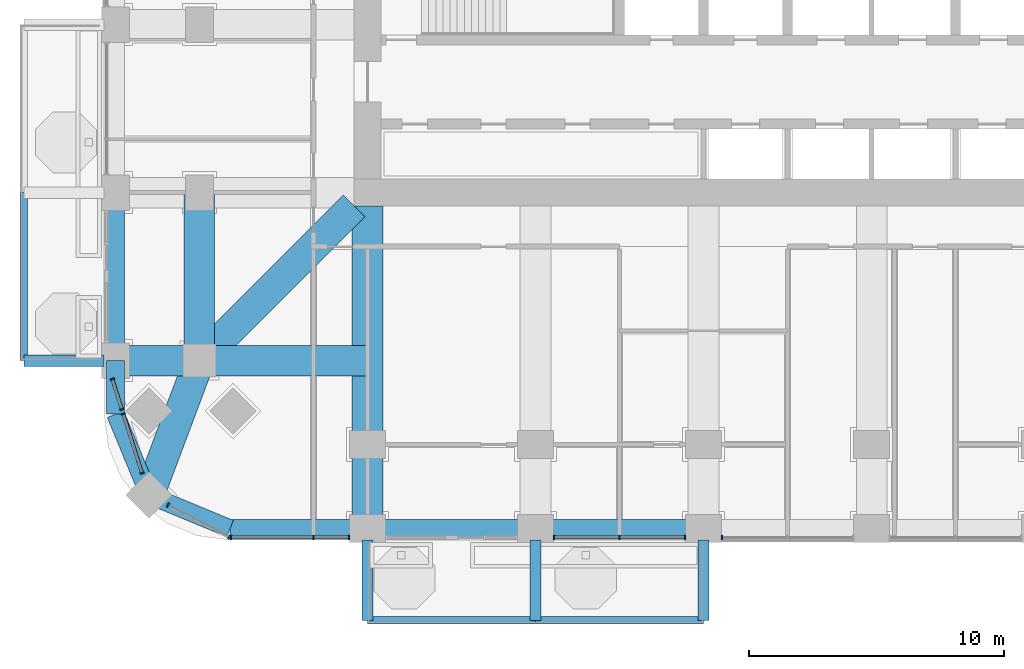
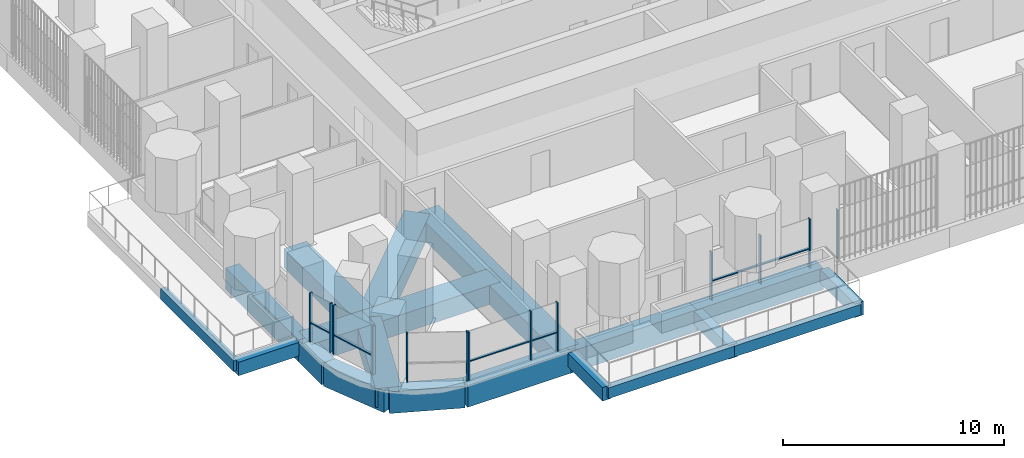
# One storey, part 2 of 21: 20 beams, 19 members, 6 elements without a shape of their own.
"""IFC4 building model written with IfcOpenShell, lengths in metres."""

import ifcopenshell
import ifcopenshell.guid

model = None  # the IFC model being written
_history = None  # IfcOwnerHistory: only IFC2X3 demands one
_inside = {}  # id of a spatial element -> (the spatial element, [elements in it])
_under = {}  # id of a project, library or spatial element -> (it, [spatial elements below it])
_declared = {}  # id of a project -> (the project, [libraries it declares])
_typed = {}  # id of a type object -> (the type object, [elements of that type])
_made_of = {}  # id of a material, layer set ... -> (it, [elements and type objects made of it])


def new_model(schema):
    """Start an empty IFC model of exactly this schema.

    Asked for "IFC4X3", IfcOpenShell would pick the latest addendum, in which some entities
    have other attributes; the version numbers below select the first issue.
    IFC2X3 requires an IfcOwnerHistory on every rooted entity: one is made here for all.
    """
    global model, _history
    if schema == "IFC4X3":
        model = ifcopenshell.file(schema_version=(4, 3, 0, 0))
    else:
        model = ifcopenshell.file(schema=schema)
    _inside.clear()
    _under.clear()
    _declared.clear()
    _typed.clear()
    _made_of.clear()
    _history = None
    if model.schema == "IFC2X3":
        org = make("IfcOrganization", Name="unknown")
        user = make(
            "IfcPersonAndOrganization",
            ThePerson=make("IfcPerson", FamilyName="unknown"),
            TheOrganization=org,
        )
        app = make(
            "IfcApplication",
            ApplicationDeveloper=org,
            Version="unknown",
            ApplicationFullName="unknown",
            ApplicationIdentifier="unknown",
        )
        _history = make(
            "IfcOwnerHistory",
            OwningUser=user,
            OwningApplication=app,
            ChangeAction="ADDED",
            CreationDate=0,
        )
    return model


def make(cls, **values):
    """One entity of the class cls with the attributes given. An attribute that is None is left unset."""
    return model.create_entity(
        cls, **{name: value for name, value in values.items() if value is not None}
    )


def rooted(cls, **values):
    """An entity with a GlobalId (a new one), such as an element, a storey or a relation."""
    return make(cls, GlobalId=ifcopenshell.guid.new(), OwnerHistory=_history, **values)


def si_unit(unit_type, name, prefix=None):
    """IfcSIUnit, for example si_unit("LENGTHUNIT", "METRE", prefix="MILLI")."""
    return make("IfcSIUnit", UnitType=unit_type, Prefix=prefix, Name=name)


def assignment(units):
    """IfcUnitAssignment: the units of a project."""
    return None if units is None else make("IfcUnitAssignment", Units=units)


def point(xyz):
    """IfcCartesianPoint."""
    return None if xyz is None else make("IfcCartesianPoint", Coordinates=xyz)


def direction(xyz):
    """IfcDirection."""
    return None if xyz is None else make("IfcDirection", DirectionRatios=xyz)


def frame(location, z_axis=None, x_axis=None):
    """IfcAxis2Placement3D, a coordinate frame: its origin and axes. An axis left out is left unset."""
    return make(
        "IfcAxis2Placement3D",
        Location=point(location),
        Axis=direction(z_axis),
        RefDirection=direction(x_axis),
    )


def frame_2d(location, x_axis=None):
    """IfcAxis2Placement2D, a coordinate frame in the plane: its origin and x axis."""
    return make(
        "IfcAxis2Placement2D", Location=point(location), RefDirection=direction(x_axis)
    )


def origin():
    """The frame at (0, 0, 0) with its axes left unset."""
    return frame((0.0, 0.0, 0.0))


def origin_2d():
    """The frame at (0, 0) in the plane with its x axis left unset."""
    return frame_2d((0.0, 0.0))


def place(relative_to, where):
    """IfcLocalPlacement: puts the frame where relative to a parent placement (None: the world)."""
    return make(
        "IfcLocalPlacement", PlacementRelTo=relative_to, RelativePlacement=where
    )


def context(
    kind, dimensions, precision=None, world=None, true_north=None, identifier=None
):
    """IfcGeometricRepresentationContext, for example the 3D "Model" context."""
    return make(
        "IfcGeometricRepresentationContext",
        ContextIdentifier=identifier,
        ContextType=kind,
        CoordinateSpaceDimension=dimensions,
        Precision=precision,
        WorldCoordinateSystem=world,
        TrueNorth=true_north,
    )


def subcontext(parent, identifier, kind, view, scale=None):
    """IfcGeometricRepresentationSubContext, for example "Body" below "Model"."""
    return make(
        "IfcGeometricRepresentationSubContext",
        ContextIdentifier=identifier,
        ContextType=kind,
        ParentContext=parent,
        TargetScale=scale,
        TargetView=view,
    )


def project(units=None, contexts=None):
    """IfcProject with its units and contexts."""
    return rooted(
        "IfcProject",
        Name="project",
        RepresentationContexts=contexts,
        UnitsInContext=assignment(units),
    )


def spatial(cls, under=None, at=None, **own):
    """A site, building, storey or space (cls), placed at a placement, below another one or the project."""
    s = rooted(cls, ObjectPlacement=at, **own)
    if under is not None:
        _under.setdefault(under.id(), (under, []))[1].append(s)
    return s


def profile(cls, at=None, kind="AREA", **sizes):
    """A parametric profile (cls). Its sizes go by their IFC names, for example OverallWidth=200.0."""
    return make(cls, ProfileType=kind, Position=at, **sizes)


def rectangle(**sizes):
    """IfcRectangleProfileDef."""
    return profile("IfcRectangleProfileDef", **sizes)


def extrude(swept, where, along, depth):
    """IfcExtrudedAreaSolid: the profile swept, set in the frame where, extruded along a direction by depth."""
    return make(
        "IfcExtrudedAreaSolid",
        SweptArea=swept,
        Position=where,
        ExtrudedDirection=direction(along),
        Depth=depth,
    )


def shape(context_of_items, identifier, shape_type, items):
    """IfcShapeRepresentation: the items that make up one representation, for example the "Body"."""
    return make(
        "IfcShapeRepresentation",
        ContextOfItems=context_of_items,
        RepresentationIdentifier=identifier,
        RepresentationType=shape_type,
        Items=items,
    )


def material(Name=None, Category=None):
    """IfcMaterial."""
    return make("IfcMaterial", Name=Name, Category=Category)


def material_profile(
    of_material, cross_section, Name=None, Category=None, Priority=None
):
    """IfcMaterialProfile: a cross section and its material."""
    return make(
        "IfcMaterialProfile",
        Name=Name,
        Material=of_material,
        Profile=cross_section,
        Priority=Priority,
        Category=Category,
    )


def profile_set(profiles, Name=None, composite=None):
    """IfcMaterialProfileSet."""
    return make(
        "IfcMaterialProfileSet",
        Name=Name,
        MaterialProfiles=profiles,
        CompositeProfile=composite,
    )


def made_of(thing, what):
    """Note that an element or type object is made of a material, layer set ...; save() writes the relation."""
    if what is not None:
        _made_of.setdefault(what.id(), (what, []))[1].append(thing)
    return thing


def type_object(cls, material=None, **own):
    """A type object (cls), such as IfcWallType, which elements share."""
    return made_of(rooted(cls, **own), material)


def element(
    cls,
    number,
    at=None,
    inside=None,
    cuts=None,
    type_object=None,
    material=None,
    context=None,
    identifier="Body",
    shape_type=None,
    held_by="IfcProductDefinitionShape",
    body=None,
    shapes=None,
    **own,
):
    """One element of the class cls, such as IfcWall. Its Tag is "e" and its number.

    at: its placement. inside: the storey or other place that contains it. cuts: it is an
    opening in that element (IfcRelVoidsElement). A single representation is given by context,
    identifier, shape_type and body (its items); several are given by shapes. held_by: the class
    of the entity that holds the representations. save() writes the other relations.
    """
    e = rooted(cls, Tag="e%d" % number, ObjectPlacement=at, **own)
    if body is not None:
        shapes = [shape(context, identifier, shape_type, body)]
    if shapes is not None:
        e.Representation = make(held_by, Representations=shapes)
    if inside is not None:
        _inside.setdefault(inside.id(), (inside, []))[1].append(e)
    if cuts is not None:
        rooted(
            "IfcRelVoidsElement", RelatingBuildingElement=cuts, RelatedOpeningElement=e
        )
    if type_object is not None:
        _typed.setdefault(type_object.id(), (type_object, []))[1].append(e)
    return made_of(e, material)


def aggregate(whole, parts):
    """IfcRelAggregates: a whole, such as a stair, and the parts it consists of."""
    return rooted("IfcRelAggregates", RelatingObject=whole, RelatedObjects=parts)


def save(model, path):
    """Write the relations noted so far, then the file.

    IfcRelAggregates (storeys below a building ...), IfcRelContainedInSpatialStructure (elements
    in a storey), IfcRelDefinesByType, IfcRelAssociatesMaterial and IfcRelDeclares: one each for
    every whole, place, type object, material and project.
    """
    for whole, parts in _under.values():
        aggregate(whole, parts)
    for where, things in _inside.values():
        rooted(
            "IfcRelContainedInSpatialStructure",
            RelatedElements=things,
            RelatingStructure=where,
        )
    for kind, things in _typed.values():
        rooted("IfcRelDefinesByType", RelatedObjects=things, RelatingType=kind)
    for what, things in _made_of.values():
        rooted("IfcRelAssociatesMaterial", RelatedObjects=things, RelatingMaterial=what)
    for by, libraries in _declared.values():
        rooted("IfcRelDeclares", RelatingContext=by, RelatedDefinitions=libraries)
    model.write(path)


model = new_model("IFC4")

# Units and contexts
model_context = context("Model", 3, precision=1e-05, world=origin(), true_north=direction((0.0, 1.0)))
body_context = subcontext(model_context, "Body", "Model", "MODEL_VIEW")
ifc_project = project(units=[si_unit("LENGTHUNIT", "METRE"), si_unit("AREAUNIT", "SQUARE_METRE"), si_unit("VOLUMEUNIT", "CUBIC_METRE"), si_unit("PLANEANGLEUNIT", "RADIAN"), si_unit("MASSUNIT", "GRAM", prefix="KILO")], contexts=[model_context])

# Site, building, storey
site_placement = place(None, origin())
site = spatial("IfcSite", under=ifc_project, at=site_placement, CompositionType="ELEMENT")
building_placement = place(site_placement, origin())
building = spatial("IfcBuilding", under=site, at=building_placement, Name="Cobogo Forest Laboratory Tower", CompositionType="ELEMENT")
storey_placement = place(building_placement, frame((0.0, 0.0, 115.800048828125)))
storey = spatial("IfcBuildingStorey", under=building, at=storey_placement, Name="L26", CompositionType="ELEMENT", Elevation=115.800048828125)

# Beams
ifc_material_1 = material(Name="Concrete HA-40 (C40/50)", Category="concrete")
ifc_material_profile_1 = material_profile(ifc_material_1, rectangle(XDim=0.449951171875, YDim=0.75, at=origin_2d()), Name="RC 450x750")
ifc_profile_set_1 = profile_set([ifc_material_profile_1], Name="Concrete HA-40 (C40/50)")
beam_type_1 = type_object("IfcBeamType", Name="Balcony cantilever beam 450x750", PredefinedType="BEAM", material=ifc_profile_set_1)
for number, where, z_axis, x_axis, name in (
    (1, (13.199951171875, -0.449951171875, -0.625), (0.0, -1.0, 0.0), (1.0, 0.0, 0.0), "CB1 BAL-S1-C1 L26"),
    (2, (19.800048828125, -0.449951171875, -0.625), (0.0, -1.0, 0.0), (1.0, 0.0, 0.0), "CB1 BAL-S1-C2 L26"),
    (3, (26.39990234375, -0.449951171875, -0.625), (0.0, -1.0, 0.0), (1.0, 0.0, 0.0), "CB1 BAL-S1-C3 L26"),
    (4, (2.85009765625, 6.60009765625, -0.625), (-1.0, 0.0, 0.0), (0.0, -1.0, 0.0), "CB1 BAL-W1-C1 L26"),
):
    element("IfcBeam", number, at=place(storey_placement, frame(where, z_axis=z_axis, x_axis=x_axis)), inside=storey, type_object=beam_type_1, Name=name, PredefinedType="BEAM", context=body_context, shape_type="SweptSolid", body=[
        extrude(rectangle(XDim=0.449951171875, YDim=0.75, at=origin_2d()), origin(), (0.0, 0.0, 1.0), 3.150146484375),
    ])
ifc_material_profile_2 = material_profile(ifc_material_1, rectangle(XDim=0.300048828125, YDim=0.60009765625, at=origin_2d()), Name="RC 300x600")
ifc_profile_set_2 = profile_set([ifc_material_profile_2], Name="Concrete HA-40 (C40/50)")
beam_type_2 = type_object("IfcBeamType", Name="Balcony edge beam 300x600", PredefinedType="BEAM", material=ifc_profile_set_2)
beam_1_placement = place(storey_placement, frame((13.199951171875, -3.60009765625, -0.550048828125), z_axis=(1.0, 0.0, 0.0), x_axis=(0.0, 1.0, 0.0)))
element("IfcBeam", 5, at=beam_1_placement, inside=storey, type_object=beam_type_2, Name="BB1 BAL-S1-T1 L26", PredefinedType="BEAM", context=body_context, shape_type="SweptSolid", body=[
    extrude(rectangle(XDim=0.300048828125, YDim=0.60009765625, at=origin_2d()), origin(), (0.0, 0.0, 1.0), 6.60009765625),
])
for number, where, z_axis, x_axis, name in (
    (6, (19.800048828125, -3.60009765625, -0.550048828125), (1.0, 0.0, 0.0), (0.0, 1.0, 0.0), "BB1 BAL-S1-T2 L26"),
    (7, (-0.300048828125, 6.60009765625, -0.550048828125), (0.0, 1.0, 0.0), (-1.0, 0.0, 0.0), "BB1 BAL-W1-T1 L26"),
):
    element("IfcBeam", number, at=place(storey_placement, frame(where, z_axis=z_axis, x_axis=x_axis)), inside=storey, type_object=beam_type_2, Name=name, PredefinedType="BEAM", context=body_context, shape_type="SweptSolid", body=[
        extrude(rectangle(XDim=0.300048828125, YDim=0.60009765625, at=origin_2d()), origin(), (0.0, 0.0, 1.0), 6.599853515625),
    ])
ifc_material_profile_3 = material_profile(ifc_material_1, rectangle(XDim=1.199951171875, YDim=1.050048828125, at=origin_2d()), Name="RC 1200x1050")
ifc_profile_set_3 = profile_set([ifc_material_profile_3], Name="Concrete HA-40 (C40/50)")
beam_type_3 = type_object("IfcBeamType", Name="Laboratory floor wide beam 1200x1050", PredefinedType="BEAM", material=ifc_profile_set_3)
beam_2_placement = place(storey_placement, frame((13.199951171875, 12.675048828125, -0.824951171875), z_axis=(0.0, -1.0, 0.0), x_axis=(1.0, 0.0, 0.0)))
element("IfcBeam", 8, at=beam_2_placement, inside=storey, type_object=beam_type_3, Name="RB1 R-3-S L26", PredefinedType="BEAM", context=body_context, shape_type="SweptSolid", body=[
    extrude(rectangle(XDim=1.199951171875, YDim=1.050048828125, at=origin_2d()), origin(), (0.0, 0.0, 1.0), 12.675048828125),
])
beam_3_placement = place(storey_placement, frame((6.60009765625, 6.60009765625, -0.824951171875), z_axis=(0.0, 1.0, 0.0), x_axis=(-1.0, 0.0, 0.0)))
element("IfcBeam", 9, at=beam_3_placement, inside=storey, type_object=beam_type_3, Name="RB1 G-SW-XC L26", PredefinedType="BEAM", context=body_context, shape_type="SweptSolid", body=[
    extrude(rectangle(XDim=1.199951171875, YDim=1.050048828125, at=origin_2d()), origin(), (0.0, 0.0, 1.0), 6.599853515625),
])
beam_4_placement = place(storey_placement, frame((3.300048828125, 6.60009765625, -0.824951171875), z_axis=(1.0, 0.0, 0.0), x_axis=(0.0, 1.0, 0.0)))
element("IfcBeam", 10, at=beam_4_placement, inside=storey, type_object=beam_type_3, Name="RB1 G-SW-YF L26", PredefinedType="BEAM", context=body_context, shape_type="SweptSolid", body=[
    extrude(rectangle(XDim=1.199951171875, YDim=1.050048828125, at=origin_2d()), origin(), (0.0, 0.0, 1.0), 3.300048828125),
])
beam_5_placement = place(storey_placement, frame((6.60009765625, 6.60009765625, -0.824951171875), z_axis=(1.0, 0.0, 0.0), x_axis=(0.0, 1.0, 0.0)))
element("IfcBeam", 11, at=beam_5_placement, inside=storey, type_object=beam_type_3, Name="RB1 G-SW-YC L26", PredefinedType="BEAM", context=body_context, shape_type="SweptSolid", body=[
    extrude(rectangle(XDim=1.199951171875, YDim=1.050048828125, at=origin_2d()), origin(), (0.0, 0.0, 1.0), 6.599853515625),
])
beam_6_placement = place(storey_placement, frame((4.617919921875, 1.318115234375, -0.824951171875), z_axis=(0.351346325373, 0.936245565889, 0.0), x_axis=(-0.936245565889, 0.351346325373, 0.0)))
element("IfcBeam", 12, at=beam_6_placement, inside=storey, type_object=beam_type_3, Name="RB1 G-SW-D1 L26", PredefinedType="BEAM", context=body_context, shape_type="SweptSolid", body=[
    extrude(rectangle(XDim=1.199951171875, YDim=1.050048828125, at=origin_2d()), origin(), (0.0, 0.0, 1.0), 5.6416015625),
])
beam_7_placement = place(storey_placement, frame((6.60009765625, 6.60009765625, -0.824951171875), z_axis=(0.707106781187, 0.707106781187, 0.0), x_axis=(-0.707106781187, 0.707106781187, 0.0)))
element("IfcBeam", 13, at=beam_7_placement, inside=storey, type_object=beam_type_3, Name="RB1 G-SW-D2 L26", PredefinedType="BEAM", context=body_context, shape_type="SweptSolid", body=[
    extrude(rectangle(XDim=1.199951171875, YDim=1.050048828125, at=origin_2d()), origin(), (0.0, 0.0, 1.0), 8.59130859375),
])

# Curtain wall, members
ifc_material_2 = material(Name="Aluminium curtain wall", Category="aluminium")
curtain_wall_type = type_object("IfcCurtainWallType", Name="CW-1 unitised curtain wall, clear glazing, laboratory floors zones A and B", PredefinedType="USERDEFINED", material=ifc_material_2)
curtain_wall_1_placement = place(storey_placement, origin())
curtain_wall_1 = element("IfcCurtainWall", 14, at=curtain_wall_1_placement, inside=storey, type_object=curtain_wall_type, Name="Curtain wall 01 L26", ObjectType="UNITISED CURTAIN WALL", PredefinedType="USERDEFINED")
ifc_material_3 = material(Name="Aluminium mullion", Category="aluminium")
ifc_material_profile_4 = material_profile(ifc_material_3, rectangle(XDim=0.06005859375, YDim=0.159912109375, at=origin_2d()), Name="AL 60x160")
ifc_profile_set_4 = profile_set([ifc_material_profile_4], Name="Aluminium mullion")
member_type_1 = type_object("IfcMemberType", Name="MU-1 aluminium mullion 60x160", PredefinedType="MULLION", material=ifc_profile_set_4)
member_1_placement = place(storey_placement, frame((7.830078125, -0.35009765625, 0.0), z_axis=(0.0, 0.0, 1.0), x_axis=(1.0, 0.0, 0.0)))
member_1 = element("IfcMember", 15, at=member_1_placement, type_object=member_type_1, Name="CW-1 mullion 1", PredefinedType="MULLION", context=body_context, shape_type="SweptSolid", body=[
    extrude(rectangle(XDim=0.06005859375, YDim=0.159912109375, at=origin_2d()), origin(), (0.0, 0.0, 1.0), 2.699951171875),
])
member_2_placement = place(storey_placement, frame((11.074951171875, -0.35009765625, 0.0), z_axis=(0.0, 0.0, 1.0), x_axis=(1.0, 0.0, 0.0)))
member_2 = element("IfcMember", 16, at=member_2_placement, type_object=member_type_1, Name="CW-1 mullion 2", PredefinedType="MULLION", context=body_context, shape_type="SweptSolid", body=[
    extrude(rectangle(XDim=0.06005859375, YDim=0.159912109375, at=origin_2d()), origin(), (0.0, 0.0, 1.0), 2.699951171875),
])
member_3_placement = place(storey_placement, frame((12.469970703125, -0.35009765625, 0.0), z_axis=(0.0, 0.0, 1.0), x_axis=(1.0, 0.0, 0.0)))
member_3 = element("IfcMember", 17, at=member_3_placement, type_object=member_type_1, Name="CW-1 mullion 3", PredefinedType="MULLION", context=body_context, shape_type="SweptSolid", body=[
    extrude(rectangle(XDim=0.06005859375, YDim=0.159912109375, at=origin_2d()), origin(), (0.0, 0.0, 1.0), 2.699951171875),
])

curtain_wall_2_placement = place(storey_placement, origin())
curtain_wall_2 = element("IfcCurtainWall", 18, at=curtain_wall_2_placement, inside=storey, type_object=curtain_wall_type, Name="Curtain wall 03 L26", ObjectType="UNITISED CURTAIN WALL", PredefinedType="USERDEFINED")
member_4_placement = place(storey_placement, frame((20.530029296875, -0.35009765625, 0.0), z_axis=(0.0, 0.0, 1.0), x_axis=(1.0, 0.0, 0.0)))
member_4 = element("IfcMember", 19, at=member_4_placement, type_object=member_type_1, Name="CW-1 mullion 1", PredefinedType="MULLION", context=body_context, shape_type="SweptSolid", body=[
    extrude(rectangle(XDim=0.06005859375, YDim=0.159912109375, at=origin_2d()), origin(), (0.0, 0.0, 1.0), 2.699951171875),
])
member_5_placement = place(storey_placement, frame((23.10009765625, -0.35009765625, 0.0), z_axis=(0.0, 0.0, 1.0), x_axis=(1.0, 0.0, 0.0)))
member_5 = element("IfcMember", 20, at=member_5_placement, type_object=member_type_1, Name="CW-1 mullion 2", PredefinedType="MULLION", context=body_context, shape_type="SweptSolid", body=[
    extrude(rectangle(XDim=0.06005859375, YDim=0.159912109375, at=origin_2d()), origin(), (0.0, 0.0, 1.0), 2.699951171875),
])
member_6_placement = place(storey_placement, frame((25.669921875, -0.35009765625, 0.0), z_axis=(0.0, 0.0, 1.0), x_axis=(1.0, 0.0, 0.0)))
member_6 = element("IfcMember", 21, at=member_6_placement, type_object=member_type_1, Name="CW-1 mullion 3", PredefinedType="MULLION", context=body_context, shape_type="SweptSolid", body=[
    extrude(rectangle(XDim=0.06005859375, YDim=0.159912109375, at=origin_2d()), origin(), (0.0, 0.0, 1.0), 2.699951171875),
])

# Curtain wall, member
curtain_wall_3_placement = place(storey_placement, origin())
curtain_wall_3 = element("IfcCurtainWall", 22, at=curtain_wall_3_placement, inside=storey, type_object=curtain_wall_type, Name="Curtain wall 04 L26", ObjectType="UNITISED CURTAIN WALL", PredefinedType="USERDEFINED")
member_7_placement = place(storey_placement, frame((27.1298828125, -0.35009765625, 0.0), z_axis=(0.0, 0.0, 1.0), x_axis=(1.0, 0.0, 0.0)))
member_7 = element("IfcMember", 23, at=member_7_placement, type_object=member_type_1, Name="CW-1 mullion 1", PredefinedType="MULLION", context=body_context, shape_type="SweptSolid", body=[
    extrude(rectangle(XDim=0.06005859375, YDim=0.159912109375, at=origin_2d()), origin(), (0.0, 0.0, 1.0), 2.699951171875),
])
aggregate(curtain_wall_3, [member_7])

# Curtain wall, members
curtain_wall_4_placement = place(storey_placement, origin())
curtain_wall_4 = element("IfcCurtainWall", 24, at=curtain_wall_4_placement, inside=storey, type_object=curtain_wall_type, Name="Curtain wall 32 L26", ObjectType="UNITISED CURTAIN WALL", PredefinedType="USERDEFINED")
member_8_placement = place(storey_placement, frame((3.18017578125, 5.871337890625, 0.0), z_axis=(0.0, 0.0, 1.0), x_axis=(0.301135356805, -0.953581405483, 0.0)))
member_8 = element("IfcMember", 25, at=member_8_placement, type_object=member_type_1, Name="CW-1 mullion 1", PredefinedType="MULLION", context=body_context, shape_type="SweptSolid", body=[
    extrude(rectangle(XDim=0.06005859375, YDim=0.159912109375, at=origin_2d()), origin(), (0.0, 0.0, 1.0), 2.699951171875),
])
member_9_placement = place(storey_placement, frame((3.55224609375, 4.69287109375, 0.0), z_axis=(0.0, 0.0, 1.0), x_axis=(0.301135356805, -0.953581405483, 0.0)))
member_9 = element("IfcMember", 26, at=member_9_placement, type_object=member_type_1, Name="CW-1 mullion 2", PredefinedType="MULLION", context=body_context, shape_type="SweptSolid", body=[
    extrude(rectangle(XDim=0.06005859375, YDim=0.159912109375, at=origin_2d()), origin(), (0.0, 0.0, 1.0), 2.699951171875),
])

curtain_wall_5_placement = place(storey_placement, origin())
curtain_wall_5 = element("IfcCurtainWall", 27, at=curtain_wall_5_placement, inside=storey, type_object=curtain_wall_type, Name="Curtain wall 33 L26", ObjectType="UNITISED CURTAIN WALL", PredefinedType="USERDEFINED")
member_10_placement = place(storey_placement, frame((3.613037109375, 4.500244140625, 0.0), z_axis=(0.0, 0.0, 1.0), x_axis=(0.301135291996, -0.953581425949, 0.0)))
member_10 = element("IfcMember", 28, at=member_10_placement, type_object=member_type_1, Name="CW-1 mullion 1", PredefinedType="MULLION", context=body_context, shape_type="SweptSolid", body=[
    extrude(rectangle(XDim=0.06005859375, YDim=0.159912109375, at=origin_2d()), origin(), (0.0, 0.0, 1.0), 2.699951171875),
])
member_11_placement = place(storey_placement, frame((4.34423828125, 2.18505859375, 0.0), z_axis=(0.0, 0.0, 1.0), x_axis=(0.301135291996, -0.953581425949, 0.0)))
member_11 = element("IfcMember", 29, at=member_11_placement, type_object=member_type_1, Name="CW-1 mullion 2", PredefinedType="MULLION", context=body_context, shape_type="SweptSolid", body=[
    extrude(rectangle(XDim=0.06005859375, YDim=0.159912109375, at=origin_2d()), origin(), (0.0, 0.0, 1.0), 2.699951171875),
])

curtain_wall_6_placement = place(storey_placement, origin())
curtain_wall_6 = element("IfcCurtainWall", 30, at=curtain_wall_6_placement, inside=storey, type_object=curtain_wall_type, Name="Curtain wall 34 L26", ObjectType="UNITISED CURTAIN WALL", PredefinedType="USERDEFINED")
member_12_placement = place(storey_placement, frame((5.368408203125, 0.9248046875, 0.0), z_axis=(0.0, 0.0, 1.0), x_axis=(0.885686547075, -0.464283685186, 0.0)))
member_12 = element("IfcMember", 31, at=member_12_placement, type_object=member_type_1, Name="CW-1 mullion 1", PredefinedType="MULLION", context=body_context, shape_type="SweptSolid", body=[
    extrude(rectangle(XDim=0.06005859375, YDim=0.159912109375, at=origin_2d()), origin(), (0.0, 0.0, 1.0), 2.699951171875),
])
member_13_placement = place(storey_placement, frame((7.7734375, -0.336181640625, 0.0), z_axis=(0.0, 0.0, 1.0), x_axis=(0.885686547075, -0.464283685186, 0.0)))
member_13 = element("IfcMember", 32, at=member_13_placement, type_object=member_type_1, Name="CW-1 mullion 2", PredefinedType="MULLION", context=body_context, shape_type="SweptSolid", body=[
    extrude(rectangle(XDim=0.06005859375, YDim=0.159912109375, at=origin_2d()), origin(), (0.0, 0.0, 1.0), 2.699951171875),
])
aggregate(curtain_wall_6, [member_12, member_13])

# Beams
ifc_material_profile_5 = material_profile(ifc_material_1, rectangle(XDim=0.699951171875, YDim=1.199951171875, at=origin_2d()), Name="RC 700x1200")
ifc_profile_set_5 = profile_set([ifc_material_profile_5], Name="Concrete HA-40 (C40/50)")
beam_type_4 = type_object("IfcBeamType", Name="Perimeter edge beam 700x1200", PredefinedType="BEAM", material=ifc_profile_set_5)
beam_8_placement = place(storey_placement, frame((13.199951171875, 0.0, -0.900146484375), z_axis=(1.0, 0.0, 0.0), x_axis=(0.0, 1.0, 0.0)))
element("IfcBeam", 33, at=beam_8_placement, inside=storey, type_object=beam_type_4, Name="EB1 E-S1 L26", PredefinedType="BEAM", context=body_context, shape_type="SweptSolid", body=[
    extrude(rectangle(XDim=0.699951171875, YDim=1.199951171875, at=origin_2d()), origin(), (0.0, 0.0, 1.0), 6.60009765625),
])
for number, where, z_axis, x_axis, name in (
    (34, (19.800048828125, 0.0, -0.900146484375), (1.0, 0.0, 0.0), (0.0, 1.0, 0.0), "EB1 E-S2 L26"),
    (35, (3.300048828125, 6.60009765625, -0.900146484375), (0.0, 1.0, 0.0), (-1.0, 0.0, 0.0), "EB1 E-W1 L26"),
):
    element("IfcBeam", number, at=place(storey_placement, frame(where, z_axis=z_axis, x_axis=x_axis)), inside=storey, type_object=beam_type_4, Name=name, PredefinedType="BEAM", context=body_context, shape_type="SweptSolid", body=[
        extrude(rectangle(XDim=0.699951171875, YDim=1.199951171875, at=origin_2d()), origin(), (0.0, 0.0, 1.0), 6.599853515625),
    ])
beam_9_placement = place(storey_placement, frame((13.199951171875, 0.0, -0.900146484375), z_axis=(-1.0, 0.0, 0.0), x_axis=(0.0, -1.0, 0.0)))
element("IfcBeam", 36, at=beam_9_placement, inside=storey, type_object=beam_type_4, Name="EB1 E-SWS1 L26", PredefinedType="BEAM", context=body_context, shape_type="SweptSolid", body=[
    extrude(rectangle(XDim=0.699951171875, YDim=1.199951171875, at=origin_2d()), origin(), (0.0, 0.0, 1.0), 5.39990234375),
])
beam_10_placement = place(storey_placement, frame((7.800048828125, 0.0, -0.900146484375), z_axis=(-0.923876013265, 0.382691928466, 0.0), x_axis=(-0.382691928466, -0.923876013265, 0.0)))
element("IfcBeam", 37, at=beam_10_placement, inside=storey, type_object=beam_type_4, Name="EB1 E-SWS2 L26", PredefinedType="BEAM", context=body_context, shape_type="SweptSolid", body=[
    extrude(rectangle(XDim=0.699951171875, YDim=1.199951171875, at=origin_2d()), origin(), (0.0, 0.0, 1.0), 3.4443359375),
])
beam_11_placement = place(storey_placement, frame((3.300048828125, 6.60009765625, -0.900146484375), z_axis=(0.0, -1.0, 0.0), x_axis=(1.0, 0.0, 0.0)))
element("IfcBeam", 38, at=beam_11_placement, inside=storey, type_object=beam_type_4, Name="EB1 E-SWW1 L26", PredefinedType="BEAM", context=body_context, shape_type="SweptSolid", body=[
    extrude(rectangle(XDim=0.699951171875, YDim=1.199951171875, at=origin_2d()), origin(), (0.0, 0.0, 1.0), 2.10009765625),
])
beam_12_placement = place(storey_placement, frame((3.300048828125, 4.5, -0.900146484375), z_axis=(0.382656484822, -0.923890694089, 0.0), x_axis=(0.923890694089, 0.382656484822, 0.0)))
element("IfcBeam", 39, at=beam_12_placement, inside=storey, type_object=beam_type_4, Name="EB1 E-SWW2 L26", PredefinedType="BEAM", context=body_context, shape_type="SweptSolid", body=[
    extrude(rectangle(XDim=0.699951171875, YDim=1.199951171875, at=origin_2d()), origin(), (0.0, 0.0, 1.0), 3.444091796875),
])

# Member
ifc_material_4 = material(Name="Aluminium transom", Category="aluminium")
ifc_material_profile_6 = material_profile(ifc_material_4, rectangle(XDim=0.1201171875, YDim=0.06005859375, at=origin_2d()), Name="AL 60x120")
ifc_profile_set_6 = profile_set([ifc_material_profile_6], Name="Aluminium transom")
member_type_2 = type_object("IfcMemberType", Name="TR-1 aluminium transom 60x120", PredefinedType="USERDEFINED", material=ifc_profile_set_6)
member_14_placement = place(storey_placement, frame((7.860107421875, -0.35009765625, 1.050048828125), z_axis=(1.0, 0.0, 0.0), x_axis=(0.0, 1.0, 0.0)))
member_14 = element("IfcMember", 40, at=member_14_placement, type_object=member_type_2, Name="CW-1 transom 1.1", ObjectType="TRANSOM", PredefinedType="USERDEFINED", context=body_context, shape_type="SweptSolid", body=[
    extrude(rectangle(XDim=0.1201171875, YDim=0.06005859375, at=origin_2d()), origin(), (0.0, 0.0, 1.0), 3.184814453125),
])

member_15_placement = place(storey_placement, frame((11.10498046875, -0.35009765625, 1.050048828125), z_axis=(1.0, 0.0, 0.0), x_axis=(0.0, 1.0, 0.0)))
member_15 = element("IfcMember", 41, at=member_15_placement, type_object=member_type_2, Name="CW-1 transom 2.1", ObjectType="TRANSOM", PredefinedType="USERDEFINED", context=body_context, shape_type="SweptSolid", body=[
    extrude(rectangle(XDim=0.1201171875, YDim=0.06005859375, at=origin_2d()), origin(), (0.0, 0.0, 1.0), 1.3349609375),
])

aggregate(curtain_wall_1, [member_1, member_2, member_3, member_14, member_15])

member_16_placement = place(storey_placement, frame((20.56005859375, -0.35009765625, 1.050048828125), z_axis=(1.0, 0.0, 0.0), x_axis=(0.0, 1.0, 0.0)))
member_16 = element("IfcMember", 42, at=member_16_placement, type_object=member_type_2, Name="CW-1 transom 1.1", ObjectType="TRANSOM", PredefinedType="USERDEFINED", context=body_context, shape_type="SweptSolid", body=[
    extrude(rectangle(XDim=0.1201171875, YDim=0.06005859375, at=origin_2d()), origin(), (0.0, 0.0, 1.0), 2.510009765625),
])

member_17_placement = place(storey_placement, frame((23.1298828125, -0.35009765625, 1.050048828125), z_axis=(1.0, 0.0, 0.0), x_axis=(0.0, 1.0, 0.0)))
member_17 = element("IfcMember", 43, at=member_17_placement, type_object=member_type_2, Name="CW-1 transom 2.1", ObjectType="TRANSOM", PredefinedType="USERDEFINED", context=body_context, shape_type="SweptSolid", body=[
    extrude(rectangle(XDim=0.1201171875, YDim=0.06005859375, at=origin_2d()), origin(), (0.0, 0.0, 1.0), 2.510009765625),
])

aggregate(curtain_wall_2, [member_4, member_5, member_6, member_16, member_17])

member_18_placement = place(storey_placement, frame((3.189208984375, 5.8427734375, 1.050048828125), z_axis=(0.301111490799, -0.953588941897, 0.0), x_axis=(0.953588941897, 0.301111490799, 0.0)))
member_18 = element("IfcMember", 44, at=member_18_placement, type_object=member_type_2, Name="CW-1 transom 1.1", ObjectType="TRANSOM", PredefinedType="USERDEFINED", context=body_context, shape_type="SweptSolid", body=[
    extrude(rectangle(XDim=0.1201171875, YDim=0.06005859375, at=origin_2d()), origin(), (0.0, 0.0, 1.0), 1.175537109375),
])

aggregate(curtain_wall_4, [member_8, member_9, member_18])

member_19_placement = place(storey_placement, frame((3.6220703125, 4.4716796875, 1.050048828125), z_axis=(0.301156039198, -0.953574873859, 0.0), x_axis=(0.953574873859, 0.301156039198, 0.0)))
member_19 = element("IfcMember", 45, at=member_19_placement, type_object=member_type_2, Name="CW-1 transom 1.1", ObjectType="TRANSOM", PredefinedType="USERDEFINED", context=body_context, shape_type="SweptSolid", body=[
    extrude(rectangle(XDim=0.1201171875, YDim=0.06005859375, at=origin_2d()), origin(), (0.0, 0.0, 1.0), 2.367919921875),
])

aggregate(curtain_wall_5, [member_10, member_11, member_19])

save(model, "model.ifc")
